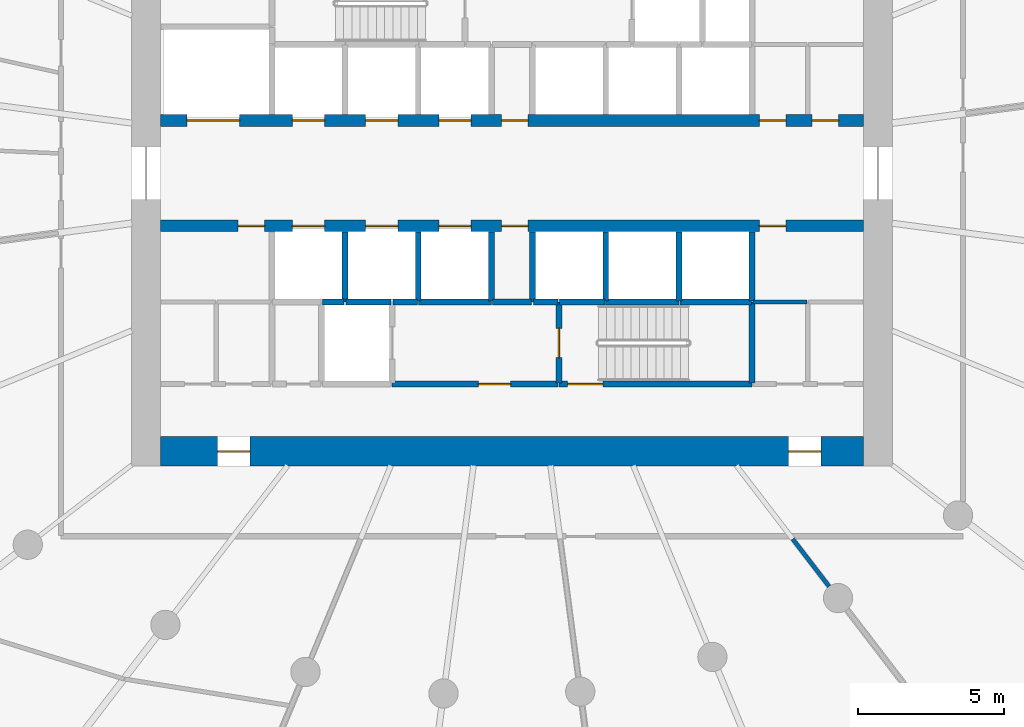
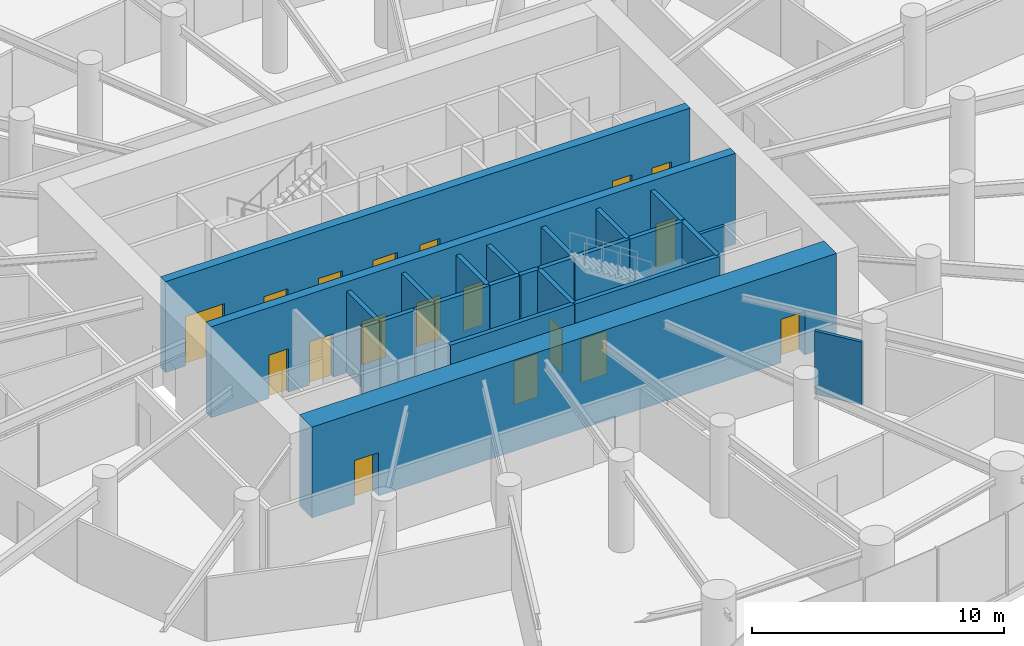
# One storey, part 12 of 17: 25 walls, 18 doors, 18 openings.
"""IFC4 building model written with IfcOpenShell, lengths in metres."""

from ifc_helpers import new_model, si_unit, direction, frame, frame_2d, origin, place, context, subcontext, project, spatial, rectangle, extrude, source, transform, mapped, material, layer, layer_set, type_object, element, fill, save


model = new_model("IFC4")

# Units and contexts
model_context = context("Model", 3, precision=1e-05, world=origin(), true_north=direction((0.0, 1.0)))
body_context = subcontext(model_context, "Body", "Model", "MODEL_VIEW")
ifc_project = project(units=[si_unit("LENGTHUNIT", "METRE"), si_unit("AREAUNIT", "SQUARE_METRE"), si_unit("VOLUMEUNIT", "CUBIC_METRE"), si_unit("PLANEANGLEUNIT", "RADIAN"), si_unit("MASSUNIT", "GRAM", prefix="KILO")], contexts=[model_context])

# Site, building, storey
site_placement = place(None, origin())
site = spatial("IfcSite", under=ifc_project, at=site_placement, CompositionType="ELEMENT")
building_placement = place(site_placement, origin())
building = spatial("IfcBuilding", under=site, at=building_placement, Name="Spindrift Exchange Tower", CompositionType="ELEMENT")
storey_placement = place(building_placement, frame((0.0, 0.0, 35.800048828125)))
storey = spatial("IfcBuildingStorey", under=building, at=storey_placement, Name="L08", CompositionType="ELEMENT", Elevation=35.800048828125)

# Wall, openings, doors
ifc_material_1 = material(Name="Concrete 80 MPa", Category="concrete")
ifc_layer_1 = layer(ifc_material_1, 1.0)
ifc_layer_set_1 = layer_set([ifc_layer_1], Name="RC Core Wall 1000 Concrete 80 MPa")
wall_type_1 = type_object("IfcWallType", Name="RC Core Wall 1000 Concrete 80 MPa", PredefinedType="SHEAR", material=ifc_layer_set_1)
wall_1_placement = place(storey_placement, frame((40.0, 38.5, 0.0), z_axis=(0.0, 0.0, 1.0), x_axis=(1.0, 0.0, 0.0)))
wall_1 = element("IfcWall", 1, at=wall_1_placement, inside=storey, type_object=wall_type_1, Name="Core wall S L08", PredefinedType="SHEAR", context=body_context, shape_type="SweptSolid", body=[
    extrude(rectangle(XDim=24.0, YDim=1.0, at=frame_2d((12.0, 0.0))), origin(), (0.0, 0.0, 1.0), 4.39990234375),
])
opening_1_placement = place(wall_1_placement, frame((21.449951171875, 0.0, 0.0)))
opening_1 = element("IfcOpeningElement", 2, at=opening_1_placement, cuts=wall_1, Name="Opening L08-D22", PredefinedType="OPENING", context=body_context, shape_type="SweptSolid", body=[
    extrude(rectangle(XDim=1.10009765625, YDim=2.10009765625, at=frame_2d((0.550048828125, 1.050048828125))), frame((0.0, 0.510009765625, 0.0), z_axis=(0.0, -1.0, 0.0), x_axis=(1.0, 0.0, 0.0)), (0.0, 0.0, 1.0), 1.02001953125),
])
opening_2_placement = place(wall_1_placement, frame((1.949951171875, 0.0, 0.0)))
opening_2 = element("IfcOpeningElement", 3, at=opening_2_placement, cuts=wall_1, Name="Opening L08-D23", PredefinedType="OPENING", context=body_context, shape_type="SweptSolid", body=[
    extrude(rectangle(XDim=1.10009765625, YDim=2.10009765625, at=frame_2d((0.550048828125, 1.050048828125))), frame((0.0, 0.510009765625, 0.0), z_axis=(0.0, -1.0, 0.0), x_axis=(1.0, 0.0, 0.0)), (0.0, 0.0, 1.0), 1.02001953125),
])
ifc_material_2 = material(Name="Steel fire door", Category="steel")
door_type_1 = type_object("IfcDoorType", Name="DR-STAIR-1100", OperationType="NOTDEFINED", PredefinedType="DOOR", material=ifc_material_2)
shared_shape_1 = source(origin(), body_context, "Body", "SweptSolid", [
    extrude(rectangle(XDim=1.10009765625, YDim=2.10009765625, at=frame_2d((0.550048828125, 1.050048828125))), frame((0.0, 0.02490234375, 0.0), z_axis=(0.0, -1.0, 0.0), x_axis=(1.0, 0.0, 0.0)), (0.0, 0.0, 1.0), 0.050048828125),
])
door_1_placement = place(opening_1_placement, origin())
door_1 = element("IfcDoor", 4, at=door_1_placement, inside=storey, type_object=door_type_1, Name="L08 Stair door 22", OperationType="SINGLE_SWING_LEFT", OverallHeight=2.10009765625, OverallWidth=1.10009765625, PredefinedType="DOOR", context=body_context, shape_type="MappedRepresentation", body=[
    mapped(shared_shape_1, transform((0.0, 0.0, 0.0), scale=1.0)),
])
fill(opening_1, door_1)
door_2_placement = place(opening_2_placement, origin())
door_2 = element("IfcDoor", 5, at=door_2_placement, inside=storey, type_object=door_type_1, Name="L08 Stair door 23", OperationType="SINGLE_SWING_RIGHT", OverallHeight=2.10009765625, OverallWidth=1.10009765625, PredefinedType="DOOR", context=body_context, shape_type="MappedRepresentation", body=[
    mapped(shared_shape_1, transform((0.0, 0.0, 0.0), scale=1.0)),
])
fill(opening_2, door_2)

ifc_layer_2 = layer(ifc_material_1, 0.39990234375)
ifc_layer_set_2 = layer_set([ifc_layer_2], Name="RC Spine Wall 400 Concrete 80 MPa")
wall_type_2 = type_object("IfcWallType", Name="RC Spine Wall 400 Concrete 80 MPa", PredefinedType="SHEAR", material=ifc_layer_set_2)
wall_2_placement = place(storey_placement, frame((40.0, 49.800048828125, 0.0), z_axis=(0.0, 0.0, 1.0), x_axis=(1.0, 0.0, 0.0)))
wall_2 = element("IfcWall", 6, at=wall_2_placement, inside=storey, type_object=wall_type_2, Name="Core spine wall N L08", PredefinedType="SHEAR", context=body_context, shape_type="SweptSolid", body=[
    extrude(rectangle(XDim=24.0, YDim=0.39990234375, at=frame_2d((12.0, 0.0))), origin(), (0.0, 0.0, 1.0), 4.39990234375),
])
opening_3_placement = place(wall_2_placement, frame((4.5, 0.0, 0.0)))
opening_3 = element("IfcOpeningElement", 7, at=opening_3_placement, cuts=wall_2, Name="Opening L08-D3", PredefinedType="OPENING", context=body_context, shape_type="SweptSolid", body=[
    extrude(rectangle(XDim=1.10009765625, YDim=2.10009765625, at=frame_2d((0.550048828125, 1.050048828125))), frame((0.0, 0.2099609375, 0.0), z_axis=(0.0, -1.0, 0.0), x_axis=(1.0, 0.0, 0.0)), (0.0, 0.0, 1.0), 0.419921875),
])
opening_4_placement = place(wall_2_placement, frame((7.0, 0.0, 0.0)))
opening_4 = element("IfcOpeningElement", 8, at=opening_4_placement, cuts=wall_2, Name="Opening L08-D4", PredefinedType="OPENING", context=body_context, shape_type="SweptSolid", body=[
    extrude(rectangle(XDim=1.10009765625, YDim=2.10009765625, at=frame_2d((0.550048828125, 1.050048828125))), frame((0.0, 0.2099609375, 0.0), z_axis=(0.0, -1.0, 0.0), x_axis=(1.0, 0.0, 0.0)), (0.0, 0.0, 1.0), 0.419921875),
])
opening_5_placement = place(wall_2_placement, frame((9.5, 0.0, 0.0)))
opening_5 = element("IfcOpeningElement", 9, at=opening_5_placement, cuts=wall_2, Name="Opening L08-D5", PredefinedType="OPENING", context=body_context, shape_type="SweptSolid", body=[
    extrude(rectangle(XDim=1.10009765625, YDim=2.10009765625, at=frame_2d((0.550048828125, 1.050048828125))), frame((0.0, 0.2099609375, 0.0), z_axis=(0.0, -1.0, 0.0), x_axis=(1.0, 0.0, 0.0)), (0.0, 0.0, 1.0), 0.419921875),
])
opening_6_placement = place(wall_2_placement, frame((0.89990234375, 0.0, 0.0)))
opening_6 = element("IfcOpeningElement", 10, at=opening_6_placement, cuts=wall_2, Name="Opening L08-D12", PredefinedType="OPENING", context=body_context, shape_type="SweptSolid", body=[
    extrude(rectangle(XDim=1.800048828125, YDim=2.39990234375, at=frame_2d((0.89990234375, 1.199951171875))), frame((0.0, 0.2099609375, 0.0), z_axis=(0.0, -1.0, 0.0), x_axis=(1.0, 0.0, 0.0)), (0.0, 0.0, 1.0), 0.419921875),
])
opening_7_placement = place(wall_2_placement, frame((20.449951171875, 0.0, 0.0)))
opening_7 = element("IfcOpeningElement", 11, at=opening_7_placement, cuts=wall_2, Name="Opening L08-D45", PredefinedType="OPENING", context=body_context, shape_type="SweptSolid", body=[
    extrude(rectangle(XDim=0.89990234375, YDim=2.10009765625, at=frame_2d((0.449951171875, 1.050048828125))), frame((0.0, 0.2099609375, 0.0), z_axis=(0.0, -1.0, 0.0), x_axis=(1.0, 0.0, 0.0)), (0.0, 0.0, 1.0), 0.419921875),
])
opening_8_placement = place(wall_2_placement, frame((22.25, 0.0, 0.0)))
opening_8 = element("IfcOpeningElement", 12, at=opening_8_placement, cuts=wall_2, Name="Opening L08-D46", PredefinedType="OPENING", context=body_context, shape_type="SweptSolid", body=[
    extrude(rectangle(XDim=0.89990234375, YDim=2.10009765625, at=frame_2d((0.449951171875, 1.050048828125))), frame((0.0, 0.2099609375, 0.0), z_axis=(0.0, -1.0, 0.0), x_axis=(1.0, 0.0, 0.0)), (0.0, 0.0, 1.0), 0.419921875),
])
opening_9_placement = place(wall_2_placement, frame((11.64990234375, 0.0, 0.0)))
opening_9 = element("IfcOpeningElement", 13, at=opening_9_placement, cuts=wall_2, Name="Opening L08-D51", PredefinedType="OPENING", context=body_context, shape_type="SweptSolid", body=[
    extrude(rectangle(XDim=0.89990234375, YDim=2.10009765625, at=frame_2d((0.449951171875, 1.050048828125))), frame((0.0, 0.2099609375, 0.0), z_axis=(0.0, -1.0, 0.0), x_axis=(1.0, 0.0, 0.0)), (0.0, 0.0, 1.0), 0.419921875),
])
ifc_material_3 = material(Name="Stainless steel landing door", Category="steel")
door_type_2 = type_object("IfcDoorType", Name="DR-LANDING-1100-SL", OperationType="DOUBLE_DOOR_SLIDING", PredefinedType="USERDEFINED", material=ifc_material_3)
shared_shape_2 = source(origin(), body_context, "Body", "SweptSolid", [
    extrude(rectangle(XDim=1.10009765625, YDim=2.10009765625, at=frame_2d((0.550048828125, 1.050048828125))), frame((0.0, 0.02490234375, 0.0), z_axis=(0.0, -1.0, 0.0), x_axis=(1.0, 0.0, 0.0)), (0.0, 0.0, 1.0), 0.050048828125),
])
door_3_placement = place(opening_3_placement, origin())
door_3 = element("IfcDoor", 14, at=door_3_placement, inside=storey, type_object=door_type_2, Name="L08 Lift landing door 3", ObjectType="LANDING DOOR", OperationType="DOUBLE_DOOR_SLIDING", OverallHeight=2.10009765625, OverallWidth=1.10009765625, PredefinedType="USERDEFINED", context=body_context, shape_type="MappedRepresentation", body=[
    mapped(shared_shape_2, transform((0.0, 0.0, 0.0), scale=1.0)),
])
fill(opening_3, door_3)
door_4_placement = place(opening_4_placement, origin())
door_4 = element("IfcDoor", 15, at=door_4_placement, inside=storey, type_object=door_type_2, Name="L08 Lift landing door 4", ObjectType="LANDING DOOR", OperationType="DOUBLE_DOOR_SLIDING", OverallHeight=2.10009765625, OverallWidth=1.10009765625, PredefinedType="USERDEFINED", context=body_context, shape_type="MappedRepresentation", body=[
    mapped(shared_shape_2, transform((0.0, 0.0, 0.0), scale=1.0)),
])
fill(opening_4, door_4)
door_5_placement = place(opening_5_placement, origin())
door_5 = element("IfcDoor", 16, at=door_5_placement, inside=storey, type_object=door_type_2, Name="L08 Lift landing door 5", ObjectType="LANDING DOOR", OperationType="DOUBLE_DOOR_SLIDING", OverallHeight=2.10009765625, OverallWidth=1.10009765625, PredefinedType="USERDEFINED", context=body_context, shape_type="MappedRepresentation", body=[
    mapped(shared_shape_2, transform((0.0, 0.0, 0.0), scale=1.0)),
])
fill(opening_5, door_5)
door_type_3 = type_object("IfcDoorType", Name="DR-LANDING-1800-SL", OperationType="DOUBLE_DOOR_SLIDING", PredefinedType="USERDEFINED", material=ifc_material_3)
shared_shape_3 = source(origin(), body_context, "Body", "SweptSolid", [
    extrude(rectangle(XDim=1.800048828125, YDim=2.39990234375, at=frame_2d((0.89990234375, 1.199951171875))), frame((0.0, 0.02490234375, 0.0), z_axis=(0.0, -1.0, 0.0), x_axis=(1.0, 0.0, 0.0)), (0.0, 0.0, 1.0), 0.050048828125),
])
door_6_placement = place(opening_6_placement, origin())
door_6 = element("IfcDoor", 17, at=door_6_placement, inside=storey, type_object=door_type_3, Name="L08 Lift landing door 12", ObjectType="LANDING DOOR", OperationType="DOUBLE_DOOR_SLIDING", OverallHeight=2.39990234375, OverallWidth=1.800048828125, PredefinedType="USERDEFINED", context=body_context, shape_type="MappedRepresentation", body=[
    mapped(shared_shape_3, transform((0.0, 0.0, 0.0), scale=1.0)),
])
fill(opening_6, door_6)
ifc_material_4 = material(Name="Steel access door", Category="steel")
door_type_4 = type_object("IfcDoorType", Name="DR-RISER-900", OperationType="NOTDEFINED", PredefinedType="DOOR", material=ifc_material_4)
shared_shape_4 = source(origin(), body_context, "Body", "SweptSolid", [
    extrude(rectangle(XDim=0.89990234375, YDim=2.10009765625, at=frame_2d((0.449951171875, 1.050048828125))), frame((0.0, 0.02490234375, 0.0), z_axis=(0.0, -1.0, 0.0), x_axis=(1.0, 0.0, 0.0)), (0.0, 0.0, 1.0), 0.050048828125),
])
door_7_placement = place(opening_7_placement, origin())
door_7 = element("IfcDoor", 18, at=door_7_placement, inside=storey, type_object=door_type_4, Name="L08 Riser door 45", OperationType="SINGLE_SWING_RIGHT", OverallHeight=2.10009765625, OverallWidth=0.89990234375, PredefinedType="DOOR", context=body_context, shape_type="MappedRepresentation", body=[
    mapped(shared_shape_4, transform((0.0, 0.0, 0.0), scale=1.0)),
])
fill(opening_7, door_7)
door_8_placement = place(opening_8_placement, origin())
door_8 = element("IfcDoor", 19, at=door_8_placement, inside=storey, type_object=door_type_4, Name="L08 Riser door 46", OperationType="SINGLE_SWING_LEFT", OverallHeight=2.10009765625, OverallWidth=0.89990234375, PredefinedType="DOOR", context=body_context, shape_type="MappedRepresentation", body=[
    mapped(shared_shape_4, transform((0.0, 0.0, 0.0), scale=1.0)),
])
fill(opening_8, door_8)
door_9_placement = place(opening_9_placement, origin())
door_9 = element("IfcDoor", 20, at=door_9_placement, inside=storey, type_object=door_type_4, Name="L08 Riser door 51", OperationType="SINGLE_SWING_RIGHT", OverallHeight=2.10009765625, OverallWidth=0.89990234375, PredefinedType="DOOR", context=body_context, shape_type="MappedRepresentation", body=[
    mapped(shared_shape_4, transform((0.0, 0.0, 0.0), scale=1.0)),
])
fill(opening_9, door_9)

wall_3_placement = place(storey_placement, frame((40.0, 46.199951171875, 0.0), z_axis=(0.0, 0.0, 1.0), x_axis=(1.0, 0.0, 0.0)))
wall_3 = element("IfcWall", 21, at=wall_3_placement, inside=storey, type_object=wall_type_2, Name="Core spine wall S L08", PredefinedType="SHEAR", context=body_context, shape_type="SweptSolid", body=[
    extrude(rectangle(XDim=24.0, YDim=0.39990234375, at=frame_2d((12.0, 0.0))), origin(), (0.0, 0.0, 1.0), 4.39990234375),
])
opening_10_placement = place(wall_3_placement, frame((4.5, 0.0, 0.0)))
opening_10 = element("IfcOpeningElement", 22, at=opening_10_placement, cuts=wall_3, Name="Opening L08-D6", PredefinedType="OPENING", context=body_context, shape_type="SweptSolid", body=[
    extrude(rectangle(XDim=1.10009765625, YDim=2.10009765625, at=frame_2d((0.550048828125, 1.050048828125))), frame((0.0, 0.2099609375, 0.0), z_axis=(0.0, -1.0, 0.0), x_axis=(1.0, 0.0, 0.0)), (0.0, 0.0, 1.0), 0.419921875),
])
opening_11_placement = place(wall_3_placement, frame((7.0, 0.0, 0.0)))
opening_11 = element("IfcOpeningElement", 23, at=opening_11_placement, cuts=wall_3, Name="Opening L08-D7", PredefinedType="OPENING", context=body_context, shape_type="SweptSolid", body=[
    extrude(rectangle(XDim=1.10009765625, YDim=2.10009765625, at=frame_2d((0.550048828125, 1.050048828125))), frame((0.0, 0.2099609375, 0.0), z_axis=(0.0, -1.0, 0.0), x_axis=(1.0, 0.0, 0.0)), (0.0, 0.0, 1.0), 0.419921875),
])
opening_12_placement = place(wall_3_placement, frame((9.5, 0.0, 0.0)))
opening_12 = element("IfcOpeningElement", 24, at=opening_12_placement, cuts=wall_3, Name="Opening L08-D8", PredefinedType="OPENING", context=body_context, shape_type="SweptSolid", body=[
    extrude(rectangle(XDim=1.10009765625, YDim=2.10009765625, at=frame_2d((0.550048828125, 1.050048828125))), frame((0.0, 0.2099609375, 0.0), z_axis=(0.0, -1.0, 0.0), x_axis=(1.0, 0.0, 0.0)), (0.0, 0.0, 1.0), 0.419921875),
])
opening_13_placement = place(wall_3_placement, frame((20.449951171875, 0.0, 0.0)))
opening_13 = element("IfcOpeningElement", 25, at=opening_13_placement, cuts=wall_3, Name="Opening L08-D44", PredefinedType="OPENING", context=body_context, shape_type="SweptSolid", body=[
    extrude(rectangle(XDim=0.89990234375, YDim=2.10009765625, at=frame_2d((0.449951171875, 1.050048828125))), frame((0.0, 0.2099609375, 0.0), z_axis=(0.0, -1.0, 0.0), x_axis=(1.0, 0.0, 0.0)), (0.0, 0.0, 1.0), 0.419921875),
])
opening_14_placement = place(wall_3_placement, frame((2.64990234375, 0.0, 0.0)))
opening_14 = element("IfcOpeningElement", 26, at=opening_14_placement, cuts=wall_3, Name="Opening L08-D50", PredefinedType="OPENING", context=body_context, shape_type="SweptSolid", body=[
    extrude(rectangle(XDim=0.89990234375, YDim=2.10009765625, at=frame_2d((0.449951171875, 1.050048828125))), frame((0.0, 0.2099609375, 0.0), z_axis=(0.0, -1.0, 0.0), x_axis=(1.0, 0.0, 0.0)), (0.0, 0.0, 1.0), 0.419921875),
])
opening_15_placement = place(wall_3_placement, frame((11.64990234375, 0.0, 0.0)))
opening_15 = element("IfcOpeningElement", 27, at=opening_15_placement, cuts=wall_3, Name="Opening L08-D52", PredefinedType="OPENING", context=body_context, shape_type="SweptSolid", body=[
    extrude(rectangle(XDim=0.89990234375, YDim=2.10009765625, at=frame_2d((0.449951171875, 1.050048828125))), frame((0.0, 0.2099609375, 0.0), z_axis=(0.0, -1.0, 0.0), x_axis=(1.0, 0.0, 0.0)), (0.0, 0.0, 1.0), 0.419921875),
])
door_10_placement = place(opening_10_placement, origin())
door_10 = element("IfcDoor", 28, at=door_10_placement, inside=storey, type_object=door_type_2, Name="L08 Lift landing door 6", ObjectType="LANDING DOOR", OperationType="DOUBLE_DOOR_SLIDING", OverallHeight=2.10009765625, OverallWidth=1.10009765625, PredefinedType="USERDEFINED", context=body_context, shape_type="MappedRepresentation", body=[
    mapped(shared_shape_2, transform((0.0, 0.0, 0.0), scale=1.0)),
])
fill(opening_10, door_10)
door_11_placement = place(opening_11_placement, origin())
door_11 = element("IfcDoor", 29, at=door_11_placement, inside=storey, type_object=door_type_2, Name="L08 Lift landing door 7", ObjectType="LANDING DOOR", OperationType="DOUBLE_DOOR_SLIDING", OverallHeight=2.10009765625, OverallWidth=1.10009765625, PredefinedType="USERDEFINED", context=body_context, shape_type="MappedRepresentation", body=[
    mapped(shared_shape_2, transform((0.0, 0.0, 0.0), scale=1.0)),
])
fill(opening_11, door_11)
door_12_placement = place(opening_12_placement, origin())
door_12 = element("IfcDoor", 30, at=door_12_placement, inside=storey, type_object=door_type_2, Name="L08 Lift landing door 8", ObjectType="LANDING DOOR", OperationType="DOUBLE_DOOR_SLIDING", OverallHeight=2.10009765625, OverallWidth=1.10009765625, PredefinedType="USERDEFINED", context=body_context, shape_type="MappedRepresentation", body=[
    mapped(shared_shape_2, transform((0.0, 0.0, 0.0), scale=1.0)),
])
fill(opening_12, door_12)
door_13_placement = place(opening_13_placement, origin())
door_13 = element("IfcDoor", 31, at=door_13_placement, inside=storey, type_object=door_type_4, Name="L08 Riser door 44", OperationType="SINGLE_SWING_LEFT", OverallHeight=2.10009765625, OverallWidth=0.89990234375, PredefinedType="DOOR", context=body_context, shape_type="MappedRepresentation", body=[
    mapped(shared_shape_4, transform((0.0, 0.0, 0.0), scale=1.0)),
])
fill(opening_13, door_13)
door_14_placement = place(opening_14_placement, origin())
door_14 = element("IfcDoor", 32, at=door_14_placement, inside=storey, type_object=door_type_4, Name="L08 Riser door 50", OperationType="SINGLE_SWING_LEFT", OverallHeight=2.10009765625, OverallWidth=0.89990234375, PredefinedType="DOOR", context=body_context, shape_type="MappedRepresentation", body=[
    mapped(shared_shape_4, transform((0.0, 0.0, 0.0), scale=1.0)),
])
fill(opening_14, door_14)
door_15_placement = place(opening_15_placement, origin())
door_15 = element("IfcDoor", 33, at=door_15_placement, inside=storey, type_object=door_type_4, Name="L08 Riser door 52", OperationType="SINGLE_SWING_LEFT", OverallHeight=2.10009765625, OverallWidth=0.89990234375, PredefinedType="DOOR", context=body_context, shape_type="MappedRepresentation", body=[
    mapped(shared_shape_4, transform((0.0, 0.0, 0.0), scale=1.0)),
])
fill(opening_15, door_15)

# Walls
ifc_material_5 = material(Name="Fire-rated plasterboard partition", Category="gypsum")
ifc_layer_3 = layer(ifc_material_5, 0.139892578125)
ifc_layer_set_3 = layer_set([ifc_layer_3], Name="W-PART-140")
wall_type_3 = type_object("IfcWallType", Name="W-PART-140", PredefinedType="PARTITIONING", material=ifc_layer_set_3)
wall_4_placement = place(storey_placement, frame((60.22998046875, 43.60009765625, 0.0), z_axis=(0.0, 0.0, 1.0), x_axis=(1.0, 0.0, 0.0)))
element("IfcWall", 34, at=wall_4_placement, inside=storey, type_object=wall_type_3, Name="L08 Partition wall 108", PredefinedType="PARTITIONING", context=body_context, shape_type="SweptSolid", body=[
    extrude(rectangle(XDim=1.840087890625, YDim=0.139892578125, at=frame_2d((0.919921875, 0.0))), origin(), (0.0, 0.0, 1.0), 3.050048828125),
])
ifc_layer_4 = layer(ifc_material_5, 0.139892578125)
ifc_layer_set_4 = layer_set([ifc_layer_4], Name="W-PLANT-140")
wall_type_4 = type_object("IfcWallType", Name="W-PLANT-140", PredefinedType="PARTITIONING", material=ifc_layer_set_4)
wall_5_placement = place(storey_placement, frame((61.583984375, 35.510009765625, 0.0), z_axis=(0.0, 0.0, 1.0), x_axis=(0.608727763541, -0.793379171578, 0.0)))
element("IfcWall", 35, at=wall_5_placement, inside=storey, type_object=wall_type_4, Name="L08 Partition wall 103", PredefinedType="PARTITIONING", context=body_context, shape_type="SweptSolid", body=[
    extrude(rectangle(XDim=2.04150390625, YDim=0.139892578125, at=frame_2d((1.020751953125, 0.0))), origin(), (0.0, 0.0, 1.0), 3.050048828125),
])
ifc_material_6 = material(Name="Concrete 40 MPa", Category="concrete")
ifc_layer_5 = layer(ifc_material_6, 0.199951171875)
ifc_layer_set_5 = layer_set([ifc_layer_5], Name="W-SHAFT-200")
wall_type_5 = type_object("IfcWallType", Name="W-SHAFT-200", PredefinedType="SOLIDWALL", material=ifc_layer_set_5)
wall_6_placement = place(storey_placement, frame((48.800048828125, 43.60009765625, 0.0), z_axis=(0.0, 0.0, 1.0), x_axis=(1.0, 0.0, 0.0)))
element("IfcWall", 36, at=wall_6_placement, inside=storey, type_object=wall_type_5, Name="L08 Shaft wall 17", PredefinedType="SOLIDWALL", context=body_context, shape_type="SweptSolid", body=[
    extrude(rectangle(XDim=2.5, YDim=0.199951171875, at=frame_2d((1.25, 0.0))), origin(), (0.0, 0.0, 1.0), 3.949951171875),
])
wall_7_placement = place(storey_placement, frame((46.300048828125, 43.60009765625, 0.0), z_axis=(0.0, 0.0, 1.0), x_axis=(0.0, 1.0, 0.0)))
element("IfcWall", 37, at=wall_7_placement, inside=storey, type_object=wall_type_5, Name="L08 Shaft wall 25", PredefinedType="SOLIDWALL", context=body_context, shape_type="SweptSolid", body=[
    extrude(rectangle(XDim=2.389892578125, YDim=0.199951171875, at=frame_2d((1.19482421875, 0.0))), origin(), (0.0, 0.0, 1.0), 3.949951171875),
])
for number, where, z_axis, x_axis, name in (
    (38, (48.800048828125, 43.6298828125, 0.0), (0.0, 0.0, 1.0), (0.0, 1.0, 0.0), "L08 Shaft wall 27"),
    (39, (51.300048828125, 43.6298828125, 0.0), (0.0, 0.0, 1.0), (0.0, 1.0, 0.0), "L08 Shaft wall 29"),
):
    element("IfcWall", number, at=place(storey_placement, frame(where, z_axis=z_axis, x_axis=x_axis)), inside=storey, type_object=wall_type_5, Name=name, PredefinedType="SOLIDWALL", context=body_context, shape_type="SweptSolid", body=[
        extrude(rectangle(XDim=2.360107421875, YDim=0.199951171875, at=frame_2d((1.18017578125, 0.0))), origin(), (0.0, 0.0, 1.0), 3.949951171875),
    ])
wall_8_placement = place(storey_placement, frame((52.699951171875, 45.989990234375, 0.0), z_axis=(0.0, 0.0, 1.0), x_axis=(0.0, -1.0, 0.0)))
element("IfcWall", 40, at=wall_8_placement, inside=storey, type_object=wall_type_5, Name="L08 Shaft wall 31", PredefinedType="SOLIDWALL", context=body_context, shape_type="SweptSolid", body=[
    extrude(rectangle(XDim=2.389892578125, YDim=0.199951171875, at=frame_2d((1.19482421875, 0.0))), origin(), (0.0, 0.0, 1.0), 3.949951171875),
])
wall_9_placement = place(storey_placement, frame((46.330078125, 43.60009765625, 0.0), z_axis=(0.0, 0.0, 1.0), x_axis=(1.0, 0.0, 0.0)))
element("IfcWall", 41, at=wall_9_placement, inside=storey, type_object=wall_type_5, Name="L08 Shaft wall 44", PredefinedType="SOLIDWALL", context=body_context, shape_type="SweptSolid", body=[
    extrude(rectangle(XDim=1.5400390625, YDim=0.199951171875, at=frame_2d((0.77001953125, 0.0))), origin(), (0.0, 0.0, 1.0), 3.949951171875),
])
wall_10_placement = place(storey_placement, frame((52.669921875, 43.60009765625, 0.0), z_axis=(0.0, 0.0, 1.0), x_axis=(-1.0, 0.0, 0.0)))
element("IfcWall", 42, at=wall_10_placement, inside=storey, type_object=wall_type_5, Name="L08 Shaft wall 48", PredefinedType="SOLIDWALL", context=body_context, shape_type="SweptSolid", body=[
    extrude(rectangle(XDim=1.33984375, YDim=0.199951171875, at=frame_2d((0.669921875, 0.0))), origin(), (0.0, 0.0, 1.0), 3.949951171875),
])
wall_11_placement = place(storey_placement, frame((47.929931640625, 43.60009765625, 0.0), z_axis=(0.0, 0.0, 1.0), x_axis=(1.0, 0.0, 0.0)))
element("IfcWall", 43, at=wall_11_placement, inside=storey, type_object=wall_type_5, Name="L08 Shaft wall 50", PredefinedType="SOLIDWALL", context=body_context, shape_type="SweptSolid", body=[
    extrude(rectangle(XDim=0.840087890625, YDim=0.199951171875, at=frame_2d((0.419921875, 0.0))), origin(), (0.0, 0.0, 1.0), 3.949951171875),
])
wall_12_placement = place(storey_placement, frame((45.530029296875, 43.60009765625, 0.0), z_axis=(0.0, 0.0, 1.0), x_axis=(1.0, 0.0, 0.0)))
element("IfcWall", 44, at=wall_12_placement, inside=storey, type_object=wall_type_5, Name="L08 Shaft wall 54", PredefinedType="SOLIDWALL", context=body_context, shape_type="SweptSolid", body=[
    extrude(rectangle(XDim=0.739990234375, YDim=0.199951171875, at=frame_2d((0.3701171875, 0.0))), origin(), (0.0, 0.0, 1.0), 3.949951171875),
])

# Wall, opening, door
ifc_layer_6 = layer(ifc_material_6, 0.199951171875)
ifc_layer_set_6 = layer_set([ifc_layer_6], Name="W-SHAFT-200-LB")
wall_type_6 = type_object("IfcWallType", Name="W-SHAFT-200-LB", PredefinedType="SOLIDWALL", material=ifc_layer_set_6)
wall_13_placement = place(storey_placement, frame((53.60009765625, 40.800048828125, 0.0), z_axis=(0.0, 0.0, 1.0), x_axis=(1.0, 0.0, 0.0)))
wall_13 = element("IfcWall", 45, at=wall_13_placement, inside=storey, type_object=wall_type_6, Name="L08 Shaft wall 2", PredefinedType="SOLIDWALL", context=body_context, shape_type="SweptSolid", body=[
    extrude(rectangle(XDim=6.599853515625, YDim=0.199951171875, at=frame_2d((3.2998046875, 0.0))), origin(), (0.0, 0.0, 1.0), 3.949951171875),
])
opening_16_placement = place(wall_13_placement, frame((0.300048828125, 0.0, 0.0)))
opening_16 = element("IfcOpeningElement", 46, at=opening_16_placement, cuts=wall_13, Name="Opening L08-D16", PredefinedType="OPENING", context=body_context, shape_type="SweptSolid", body=[
    extrude(rectangle(XDim=1.199951171875, YDim=2.10009765625, at=frame_2d((0.60009765625, 1.050048828125))), frame((0.0, 0.10986328125, 0.0), z_axis=(0.0, -1.0, 0.0), x_axis=(1.0, 0.0, 0.0)), (0.0, 0.0, 1.0), 0.219970703125),
])
door_type_5 = type_object("IfcDoorType", Name="DR-STAIR-1200", OperationType="NOTDEFINED", PredefinedType="DOOR", material=ifc_material_2)
shared_shape_5 = source(origin(), body_context, "Body", "SweptSolid", [
    extrude(rectangle(XDim=1.199951171875, YDim=2.10009765625, at=frame_2d((0.60009765625, 1.050048828125))), frame((0.0, 0.02490234375, 0.0), z_axis=(0.0, -1.0, 0.0), x_axis=(1.0, 0.0, 0.0)), (0.0, 0.0, 1.0), 0.050048828125),
])
door_16_placement = place(opening_16_placement, origin())
door_16 = element("IfcDoor", 47, at=door_16_placement, inside=storey, type_object=door_type_5, Name="L08 Stair door 16", OperationType="SINGLE_SWING_LEFT", OverallHeight=2.10009765625, OverallWidth=1.199951171875, PredefinedType="DOOR", context=body_context, shape_type="MappedRepresentation", body=[
    mapped(shared_shape_5, transform((0.0, 0.0, 0.0), scale=1.0)),
])
fill(opening_16, door_16)

wall_14_placement = place(storey_placement, frame((47.89990234375, 40.800048828125, 0.0), z_axis=(0.0, 0.0, 1.0), x_axis=(1.0, 0.0, 0.0)))
wall_14 = element("IfcWall", 48, at=wall_14_placement, inside=storey, type_object=wall_type_6, Name="L08 Shaft wall 3", PredefinedType="SOLIDWALL", context=body_context, shape_type="SweptSolid", body=[
    extrude(rectangle(XDim=5.670166015625, YDim=0.199951171875, at=frame_2d((2.8349609375, 0.0))), origin(), (0.0, 0.0, 1.0), 3.949951171875),
])
opening_17_placement = place(wall_14_placement, frame((2.949951171875, 0.0, 0.0)))
opening_17 = element("IfcOpeningElement", 49, at=opening_17_placement, cuts=wall_14, Name="Opening L08-D18", PredefinedType="OPENING", context=body_context, shape_type="SweptSolid", body=[
    extrude(rectangle(XDim=1.10009765625, YDim=2.10009765625, at=frame_2d((0.550048828125, 1.050048828125))), frame((0.0, 0.10986328125, 0.0), z_axis=(0.0, -1.0, 0.0), x_axis=(1.0, 0.0, 0.0)), (0.0, 0.0, 1.0), 0.219970703125),
])
ifc_material_7 = material(Name="Timber-core fire door", Category="wood")
door_type_6 = type_object("IfcDoorType", Name="DR-LOBBY-1100", OperationType="NOTDEFINED", PredefinedType="DOOR", material=ifc_material_7)
shared_shape_6 = source(origin(), body_context, "Body", "SweptSolid", [
    extrude(rectangle(XDim=1.10009765625, YDim=2.10009765625, at=frame_2d((0.550048828125, 1.050048828125))), frame((0.0, 0.02490234375, 0.0), z_axis=(0.0, -1.0, 0.0), x_axis=(1.0, 0.0, 0.0)), (0.0, 0.0, 1.0), 0.050048828125),
])
door_17_placement = place(opening_17_placement, origin())
door_17 = element("IfcDoor", 50, at=door_17_placement, inside=storey, type_object=door_type_6, Name="L08 Lobby door 18", OperationType="SINGLE_SWING_LEFT", OverallHeight=2.10009765625, OverallWidth=1.10009765625, PredefinedType="DOOR", context=body_context, shape_type="MappedRepresentation", body=[
    mapped(shared_shape_6, transform((0.0, 0.0, 0.0), scale=1.0)),
])
fill(opening_17, door_17)

# Wall
wall_15_placement = place(storey_placement, frame((60.199951171875, 40.830078125, 0.0), z_axis=(0.0, 0.0, 1.0), x_axis=(0.0, 1.0, 0.0)))
element("IfcWall", 51, at=wall_15_placement, inside=storey, type_object=wall_type_6, Name="L08 Shaft wall 10", PredefinedType="SOLIDWALL", context=body_context, shape_type="SweptSolid", body=[
    extrude(rectangle(XDim=2.77001953125, YDim=0.199951171875, at=frame_2d((1.385009765625, 0.0))), origin(), (0.0, 0.0, 1.0), 3.949951171875),
])

# Wall, opening, door
wall_16_placement = place(storey_placement, frame((53.60009765625, 43.60009765625, 0.0), z_axis=(0.0, 0.0, 1.0), x_axis=(0.0, -1.0, 0.0)))
wall_16 = element("IfcWall", 52, at=wall_16_placement, inside=storey, type_object=wall_type_6, Name="L08 Shaft wall 11", PredefinedType="SOLIDWALL", context=body_context, shape_type="SweptSolid", body=[
    extrude(rectangle(XDim=2.77001953125, YDim=0.199951171875, at=frame_2d((1.385009765625, 0.0))), origin(), (0.0, 0.0, 1.0), 3.949951171875),
])
opening_18_placement = place(wall_16_placement, frame((0.89990234375, 0.0, 0.0)))
opening_18 = element("IfcOpeningElement", 53, at=opening_18_placement, cuts=wall_16, Name="Opening L08-D17", PredefinedType="OPENING", context=body_context, shape_type="SweptSolid", body=[
    extrude(rectangle(XDim=1.0, YDim=2.10009765625, at=frame_2d((0.5, 1.050048828125))), frame((0.0, 0.10986328125, 0.0), z_axis=(0.0, -1.0, 0.0), x_axis=(1.0, 0.0, 0.0)), (0.0, 0.0, 1.0), 0.219970703125),
])
door_type_7 = type_object("IfcDoorType", Name="DR-STAIR-1000", OperationType="NOTDEFINED", PredefinedType="DOOR", material=ifc_material_2)
shared_shape_7 = source(origin(), body_context, "Body", "SweptSolid", [
    extrude(rectangle(XDim=1.0, YDim=2.10009765625, at=frame_2d((0.5, 1.050048828125))), frame((0.0, 0.02490234375, 0.0), z_axis=(0.0, -1.0, 0.0), x_axis=(1.0, 0.0, 0.0)), (0.0, 0.0, 1.0), 0.050048828125),
])
door_18_placement = place(opening_18_placement, origin())
door_18 = element("IfcDoor", 54, at=door_18_placement, inside=storey, type_object=door_type_7, Name="L08 Stair door 17", OperationType="SINGLE_SWING_RIGHT", OverallHeight=2.10009765625, OverallWidth=1.0, PredefinedType="DOOR", context=body_context, shape_type="MappedRepresentation", body=[
    mapped(shared_shape_7, transform((0.0, 0.0, 0.0), scale=1.0)),
])
fill(opening_18, door_18)

# Walls
wall_17_placement = place(storey_placement, frame((55.199951171875, 43.60009765625, 0.0), z_axis=(0.0, 0.0, 1.0), x_axis=(1.0, 0.0, 0.0)))
element("IfcWall", 55, at=wall_17_placement, inside=storey, type_object=wall_type_6, Name="L08 Shaft wall 19", PredefinedType="SOLIDWALL", context=body_context, shape_type="SweptSolid", body=[
    extrude(rectangle(XDim=2.5, YDim=0.199951171875, at=frame_2d((1.25, 0.0))), origin(), (0.0, 0.0, 1.0), 3.949951171875),
])
wall_18_placement = place(storey_placement, frame((57.72998046875, 43.60009765625, 0.0), z_axis=(0.0, 0.0, 1.0), x_axis=(1.0, 0.0, 0.0)))
element("IfcWall", 56, at=wall_18_placement, inside=storey, type_object=wall_type_6, Name="L08 Shaft wall 20", PredefinedType="SOLIDWALL", context=body_context, shape_type="SweptSolid", body=[
    extrude(rectangle(XDim=2.43994140625, YDim=0.199951171875, at=frame_2d((1.219970703125, 0.0))), origin(), (0.0, 0.0, 1.0), 3.949951171875),
])
for number, where, z_axis, x_axis, name in (
    (57, (55.199951171875, 43.6298828125, 0.0), (0.0, 0.0, 1.0), (0.0, 1.0, 0.0), "L08 Shaft wall 33"),
    (58, (57.699951171875, 43.6298828125, 0.0), (0.0, 0.0, 1.0), (0.0, 1.0, 0.0), "L08 Shaft wall 35"),
    (59, (60.199951171875, 43.6298828125, 0.0), (0.0, 0.0, 1.0), (0.0, 1.0, 0.0), "L08 Shaft wall 37"),
):
    element("IfcWall", number, at=place(storey_placement, frame(where, z_axis=z_axis, x_axis=x_axis)), inside=storey, type_object=wall_type_6, Name=name, PredefinedType="SOLIDWALL", context=body_context, shape_type="SweptSolid", body=[
        extrude(rectangle(XDim=2.360107421875, YDim=0.199951171875, at=frame_2d((1.18017578125, 0.0))), origin(), (0.0, 0.0, 1.0), 3.949951171875),
    ])
wall_19_placement = place(storey_placement, frame((53.6298828125, 43.60009765625, 0.0), z_axis=(0.0, 0.0, 1.0), x_axis=(1.0, 0.0, 0.0)))
element("IfcWall", 60, at=wall_19_placement, inside=storey, type_object=wall_type_6, Name="L08 Shaft wall 46", PredefinedType="SOLIDWALL", context=body_context, shape_type="SweptSolid", body=[
    extrude(rectangle(XDim=1.5400390625, YDim=0.199951171875, at=frame_2d((0.77001953125, 0.0))), origin(), (0.0, 0.0, 1.0), 3.949951171875),
])
wall_20_placement = place(storey_placement, frame((52.72998046875, 43.60009765625, 0.0), z_axis=(0.0, 0.0, 1.0), x_axis=(1.0, 0.0, 0.0)))
element("IfcWall", 61, at=wall_20_placement, inside=storey, type_object=wall_type_6, Name="L08 Shaft wall 52", PredefinedType="SOLIDWALL", context=body_context, shape_type="SweptSolid", body=[
    extrude(rectangle(XDim=0.840087890625, YDim=0.199951171875, at=frame_2d((0.419921875, 0.0))), origin(), (0.0, 0.0, 1.0), 3.949951171875),
])

save(model, "model.ifc")
